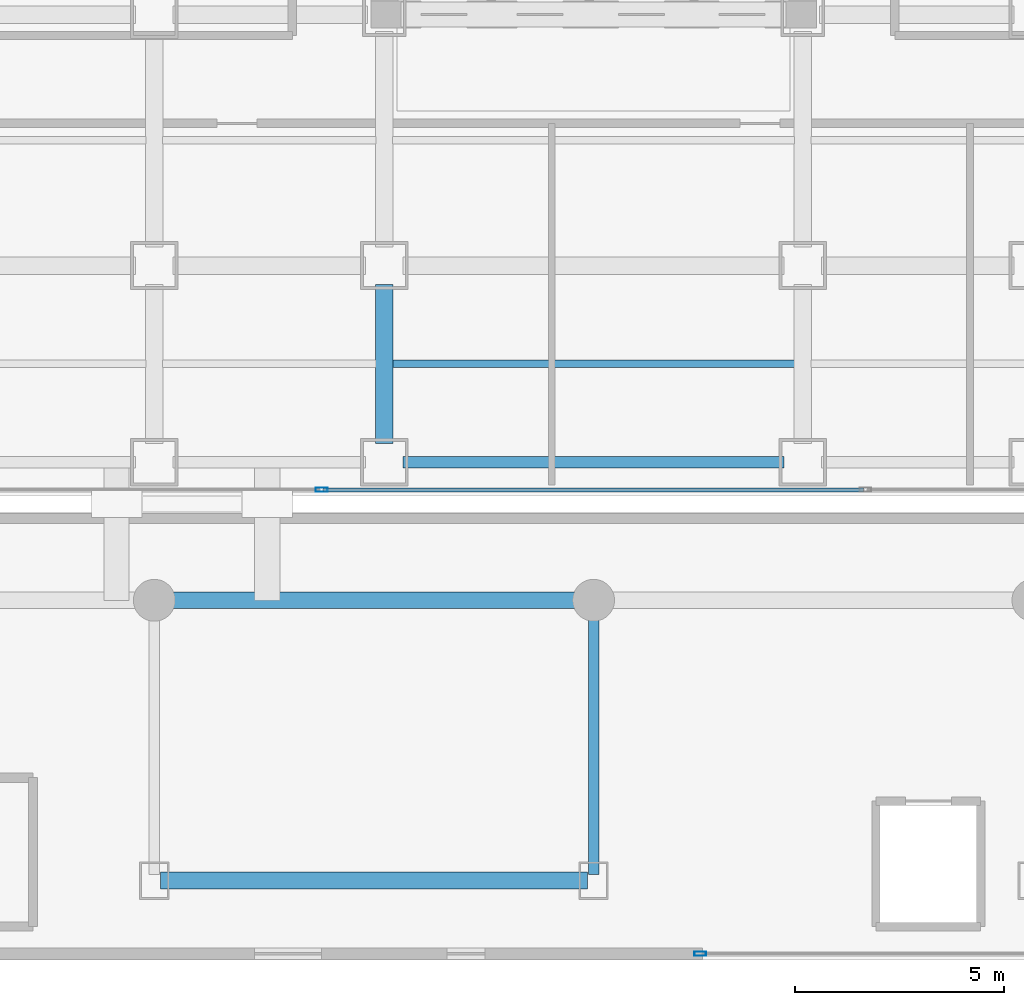
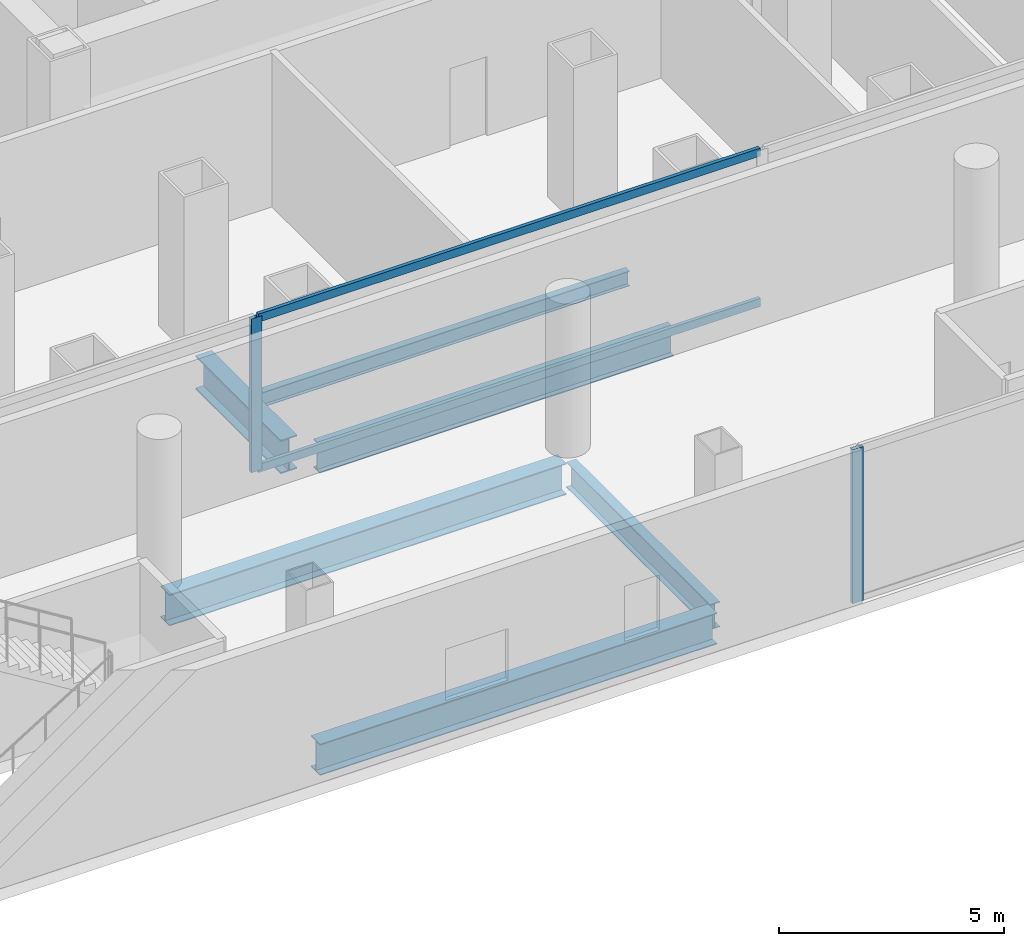
# One storey, part 7 of 26: 6 beams, 4 members, 2 elements without a shape of their own.
"""IFC4 building model written with IfcOpenShell, lengths in metres."""

from ifc_helpers import new_model, si_unit, direction, frame, origin, origin_2d, place, context, subcontext, project, spatial, hollow_rectangle, i_section, extrude, source, transform, mapped, material, layer, layer_set, material_profile, profile_set, type_object, element, aggregate, save


model = new_model("IFC4")

# Units and contexts
model_context = context("Model", 3, precision=1e-05, world=origin(), true_north=direction((0.0, 1.0)))
body_context = subcontext(model_context, "Body", "Model", "MODEL_VIEW")
ifc_project = project(units=[si_unit("LENGTHUNIT", "METRE"), si_unit("AREAUNIT", "SQUARE_METRE"), si_unit("VOLUMEUNIT", "CUBIC_METRE"), si_unit("PLANEANGLEUNIT", "RADIAN"), si_unit("MASSUNIT", "GRAM", prefix="KILO")], contexts=[model_context])

# Site, building, storey
site_placement = place(None, origin())
site = spatial("IfcSite", under=ifc_project, at=site_placement, CompositionType="ELEMENT")
building_placement = place(site_placement, origin())
building = spatial("IfcBuilding", under=site, at=building_placement, Name="Kolveth Station Tower", CompositionType="ELEMENT")
storey_placement = place(building_placement, frame((0.0, 0.0, 4.5)))
storey = spatial("IfcBuildingStorey", under=building, at=storey_placement, Name="L01", CompositionType="ELEMENT", Elevation=4.5)

# Beams
ifc_material_1 = material(Name="Steel S355", Category="steel")
ifc_material_profile_1 = material_profile(ifc_material_1, i_section(OverallWidth=0.26904296875, OverallDepth=0.77490234375, WebThickness=0.01708984375, FlangeThickness=0.0283203125, at=origin_2d()), Name="W760x220")
ifc_profile_set_1 = profile_set([ifc_material_profile_1], Name="Steel S355")
beam_type_1 = type_object("IfcBeamType", Name="Beam_SP1", PredefinedType="SPANDREL", material=ifc_profile_set_1)
shared_shape_1 = source(origin(), body_context, "Body", "SweptSolid", [
    extrude(i_section(OverallWidth=0.26904296875, OverallDepth=0.77490234375, WebThickness=0.01708984375, FlangeThickness=0.0283203125, at=origin_2d()), origin(), (0.0, 0.0, 1.0), 9.10009765625),
])
beam_1_placement = place(storey_placement, frame((18.949951171875, 0.800048828125, -0.70751953125), z_axis=(1.0, 0.0, 0.0), x_axis=(0.0, 1.0, 0.0)))
element("IfcBeam", 1, at=beam_1_placement, inside=storey, type_object=beam_type_1, Name="L01 Perimeter Spandrel BM-L01-PS-3", PredefinedType="SPANDREL", context=body_context, shape_type="MappedRepresentation", body=[
    mapped(shared_shape_1, transform((0.0, 0.0, 0.0), x_axis=(1.0, 0.0, 0.0), y_axis=(0.0, 1.0, 0.0), z_axis=(0.0, 0.0, 1.0), scale=1.0)),
])
ifc_material_profile_2 = material_profile(ifc_material_1, i_section(OverallWidth=0.41796875, OverallDepth=0.912109375, WebThickness=0.019287109375, FlangeThickness=0.031982421875, at=origin_2d()), Name="W920x342")
ifc_profile_set_2 = profile_set([ifc_material_profile_2], Name="Steel S355")
beam_type_2 = type_object("IfcBeamType", Name="Beam_B1", PredefinedType="BEAM", material=ifc_profile_set_2)
shared_shape_2 = source(origin(), body_context, "Body", "SweptSolid", [
    extrude(i_section(OverallWidth=0.41796875, OverallDepth=0.912109375, WebThickness=0.019287109375, FlangeThickness=0.031982421875, at=origin_2d()), origin(), (0.0, 0.0, 1.0), 3.800048828125),
])
beam_2_placement = place(storey_placement, frame((18.5, 1.25, -0.77587890625), z_axis=(0.0, 1.0, 0.0), x_axis=(-1.0, 0.0, 0.0)))
element("IfcBeam", 2, at=beam_2_placement, inside=storey, type_object=beam_type_2, Name="L01 Primary Girder BM-L01-GX185-1", PredefinedType="BEAM", context=body_context, shape_type="MappedRepresentation", body=[
    mapped(shared_shape_2, transform((0.0, 0.0, 0.0), x_axis=(1.0, 0.0, 0.0), y_axis=(0.0, 1.0, 0.0), z_axis=(0.0, 0.0, 1.0), scale=1.0)),
])
ifc_material_profile_3 = material_profile(ifc_material_1, i_section(OverallWidth=0.177978515625, OverallDepth=0.406982421875, WebThickness=0.0078125, FlangeThickness=0.0126953125, at=origin_2d()), Name="W410x60")
ifc_profile_set_3 = profile_set([ifc_material_profile_3], Name="Steel S355")
beam_type_3 = type_object("IfcBeamType", Name="Beam_J1", PredefinedType="JOIST", material=ifc_profile_set_3)
shared_shape_3 = source(origin(), body_context, "Body", "SweptSolid", [
    extrude(i_section(OverallWidth=0.177978515625, OverallDepth=0.406982421875, WebThickness=0.0078125, FlangeThickness=0.0126953125, at=origin_2d()), origin(), (0.0, 0.0, 1.0), 9.60986328125),
])
beam_3_placement = place(storey_placement, frame((18.695068359375, 3.14990234375, -0.5234375), z_axis=(1.0, 0.0, 0.0), x_axis=(0.0, 1.0, 0.0)))
element("IfcBeam", 3, at=beam_3_placement, inside=storey, type_object=beam_type_3, Name="L01 Secondary Joist JST-L01-4-1", PredefinedType="JOIST", context=body_context, shape_type="MappedRepresentation", body=[
    mapped(shared_shape_3, transform((0.0, 0.0, 0.0), x_axis=(1.0, 0.0, 0.0), y_axis=(0.0, 1.0, 0.0), z_axis=(0.0, 0.0, 1.0), scale=1.0)),
])
ifc_material_profile_4 = material_profile(ifc_material_1, i_section(OverallWidth=0.40087890625, OverallDepth=0.85107421875, WebThickness=0.01611328125, FlangeThickness=0.025390625, at=origin_2d()), Name="W840x226")
ifc_profile_set_4 = profile_set([ifc_material_profile_4], Name="Steel S355")
beam_type_4 = type_object("IfcBeamType", Name="Beam_B2", PredefinedType="BEAM", material=ifc_profile_set_4)
shared_shape_4 = source(origin(), body_context, "Body", "SweptSolid", [
    extrude(i_section(OverallWidth=0.40087890625, OverallDepth=0.85107421875, WebThickness=0.01611328125, FlangeThickness=0.025390625, at=origin_2d()), origin(), (0.0, 0.0, 1.0), 10.2001953125),
])
for number, where, z_axis, x_axis, name in (
    (4, (13.14990234375, -9.199951171875, -0.74560546875), (1.0, 0.0, 0.0), (0.0, 1.0, 0.0), "L01 Station Concourse Girder SBM-L01-SL1-2"),
    (5, (13.14990234375, -2.5, -0.74560546875), (1.0, 0.0, 0.0), (0.0, 1.0, 0.0), "L01 Station Concourse Girder SBM-L01-SL2-2"),
):
    element("IfcBeam", number, at=place(storey_placement, frame(where, z_axis=z_axis, x_axis=x_axis)), inside=storey, type_object=beam_type_4, Name=name, PredefinedType="BEAM", context=body_context, shape_type="MappedRepresentation", body=[
        mapped(shared_shape_4, transform((0.0, 0.0, 0.0), x_axis=(1.0, 0.0, 0.0), y_axis=(0.0, 1.0, 0.0), z_axis=(0.0, 0.0, 1.0), scale=1.0)),
    ])
ifc_material_profile_5 = material_profile(ifc_material_1, i_section(OverallWidth=0.25390625, OverallDepth=0.68798828125, WebThickness=0.01318359375, FlangeThickness=0.02099609375, at=origin_2d()), Name="W690x152")
ifc_profile_set_5 = profile_set([ifc_material_profile_5], Name="Steel S355")
beam_type_5 = type_object("IfcBeamType", Name="Beam_B4", PredefinedType="BEAM", material=ifc_profile_set_5)
shared_shape_5 = source(origin(), body_context, "Body", "SweptSolid", [
    extrude(i_section(OverallWidth=0.25390625, OverallDepth=0.68798828125, WebThickness=0.01318359375, FlangeThickness=0.02099609375, at=origin_2d()), origin(), (0.0, 0.0, 1.0), 6.400146484375),
])
beam_4_placement = place(storey_placement, frame((23.5, -9.050048828125, -0.6640625), z_axis=(0.0, 1.0, 0.0), x_axis=(-1.0, 0.0, 0.0)))
element("IfcBeam", 6, at=beam_4_placement, inside=storey, type_object=beam_type_5, Name="L01 Station Transverse Beam SBM-L01-ST-3", PredefinedType="BEAM", context=body_context, shape_type="MappedRepresentation", body=[
    mapped(shared_shape_5, transform((0.0, 0.0, 0.0), x_axis=(1.0, 0.0, 0.0), y_axis=(0.0, 1.0, 0.0), z_axis=(0.0, 0.0, 1.0), scale=1.0)),
])

# Curtain wall, member
ifc_material_2 = material(Name="Black anodized aluminium 6063-T6 and clear station glass", Category="aluminium")
ifc_layer = layer(ifc_material_2, 0.239990234375)
ifc_layer_set = layer_set([ifc_layer], Name="Black anodized aluminium 6063-T6 and clear station glass")
curtain_wall_type = type_object("IfcCurtainWallType", Name="CurtainWall_CW-ST", PredefinedType="NOTDEFINED", material=ifc_layer_set)
curtain_wall_1_placement = place(storey_placement, origin())
curtain_wall_1 = element("IfcCurtainWall", 7, at=curtain_wall_1_placement, inside=storey, type_object=curtain_wall_type, Name="L01 Tower Podium South Storefront Curtain Wall", PredefinedType="NOTDEFINED")
ifc_material_3 = material(Name="Black anodized aluminium 6063-T6", Category="aluminium")
ifc_material_profile_6 = material_profile(ifc_material_3, hollow_rectangle(XDim=0.10009765625, YDim=0.280029296875, WallThickness=0.0048828125, at=origin_2d()), Name="ALU-100x280x5")
ifc_profile_set_6 = profile_set([ifc_material_profile_6], Name="Black anodized aluminium 6063-T6")
member_type_1 = type_object("IfcMemberType", Name="Mullion_ML-ST", PredefinedType="MULLION", material=ifc_profile_set_6)
shared_shape_6 = source(origin(), body_context, "Body", "SweptSolid", [
    extrude(hollow_rectangle(XDim=0.10009765625, YDim=0.280029296875, WallThickness=0.0048828125, at=origin_2d()), origin(), (0.0, 0.0, 1.0), 4.179931640625),
])
member_1_placement = place(storey_placement, frame((17.0, 0.139892578125, 0.0), z_axis=(0.0, 0.0, 1.0), x_axis=(0.0, 1.0, 0.0)))
member_1 = element("IfcMember", 8, at=member_1_placement, type_object=member_type_1, Name="CW-ST mullion 2", PredefinedType="MULLION", context=body_context, shape_type="MappedRepresentation", body=[
    mapped(shared_shape_6, transform((0.0, 0.0, 0.0), x_axis=(1.0, 0.0, 0.0), y_axis=(0.0, 1.0, 0.0), z_axis=(0.0, 0.0, 1.0), scale=1.0)),
])

curtain_wall_2_placement = place(storey_placement, origin())
curtain_wall_2 = element("IfcCurtainWall", 9, at=curtain_wall_2_placement, inside=storey, type_object=curtain_wall_type, Name="L01 Station South Concourse Curtain Wall", PredefinedType="NOTDEFINED")
member_2_placement = place(storey_placement, frame((26.050048828125, -10.949951171875, 0.0), z_axis=(0.0, 0.0, 1.0), x_axis=(0.0, 1.0, 0.0)))
member_2 = element("IfcMember", 10, at=member_2_placement, type_object=member_type_1, Name="CW-ST mullion 1", PredefinedType="MULLION", context=body_context, shape_type="MappedRepresentation", body=[
    mapped(shared_shape_6, transform((0.0, 0.0, 0.0), x_axis=(1.0, 0.0, 0.0), y_axis=(0.0, 1.0, 0.0), z_axis=(0.0, 0.0, 1.0), scale=1.0)),
])
aggregate(curtain_wall_2, [member_2])

# Member
ifc_material_profile_7 = material_profile(ifc_material_3, hollow_rectangle(XDim=0.094970703125, YDim=0.219970703125, WallThickness=0.0048828125, at=origin_2d()), Name="ALU-95x220x5")
ifc_profile_set_7 = profile_set([ifc_material_profile_7], Name="Black anodized aluminium 6063-T6")
member_type_2 = type_object("IfcMemberType", Name="Transom_TR-ST", PredefinedType="USERDEFINED", material=ifc_profile_set_7)
shared_shape_7 = source(origin(), body_context, "Body", "SweptSolid", [
    extrude(hollow_rectangle(XDim=0.094970703125, YDim=0.219970703125, WallThickness=0.0048828125, at=origin_2d()), origin(), (0.0, 0.0, 1.0), 12.89990234375),
])
member_3_placement = place(storey_placement, frame((17.050048828125, 0.139892578125, 0.047607421875), z_axis=(1.0, 0.0, 0.0), x_axis=(0.0, 1.0, 0.0)))
member_3 = element("IfcMember", 11, at=member_3_placement, type_object=member_type_2, Name="CW-ST transom 2.1", ObjectType="TRANSOM", PredefinedType="USERDEFINED", context=body_context, shape_type="MappedRepresentation", body=[
    mapped(shared_shape_7, transform((0.0, 0.0, 0.0), x_axis=(1.0, 0.0, 0.0), y_axis=(0.0, 1.0, 0.0), z_axis=(0.0, 0.0, 1.0), scale=1.0)),
])

member_4_placement = place(storey_placement, frame((17.050048828125, 0.139892578125, 4.132568359375), z_axis=(1.0, 0.0, 0.0), x_axis=(0.0, 1.0, 0.0)))
member_4 = element("IfcMember", 12, at=member_4_placement, type_object=member_type_2, Name="CW-ST transom 2.2", ObjectType="TRANSOM", PredefinedType="USERDEFINED", context=body_context, shape_type="MappedRepresentation", body=[
    mapped(shared_shape_7, transform((0.0, 0.0, 0.0), x_axis=(1.0, 0.0, 0.0), y_axis=(0.0, 1.0, 0.0), z_axis=(0.0, 0.0, 1.0), scale=1.0)),
])

aggregate(curtain_wall_1, [member_1, member_3, member_4])

save(model, "model.ifc")
